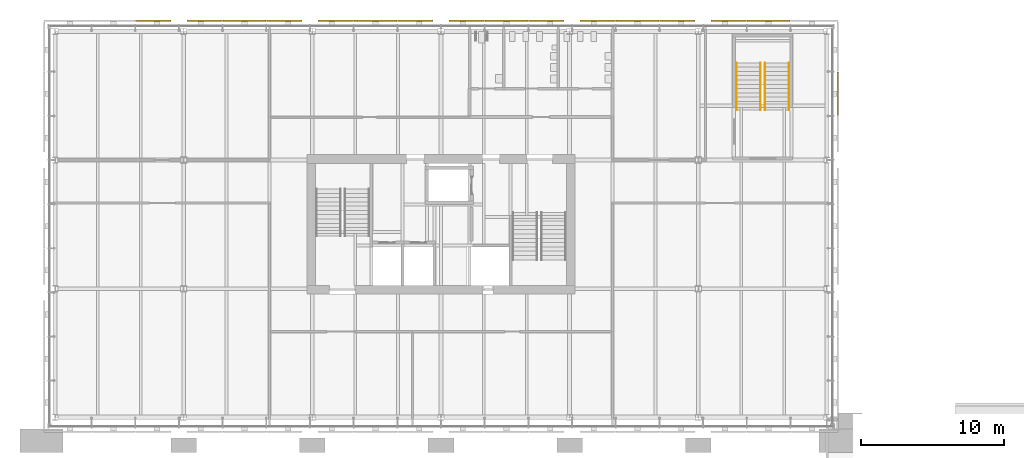
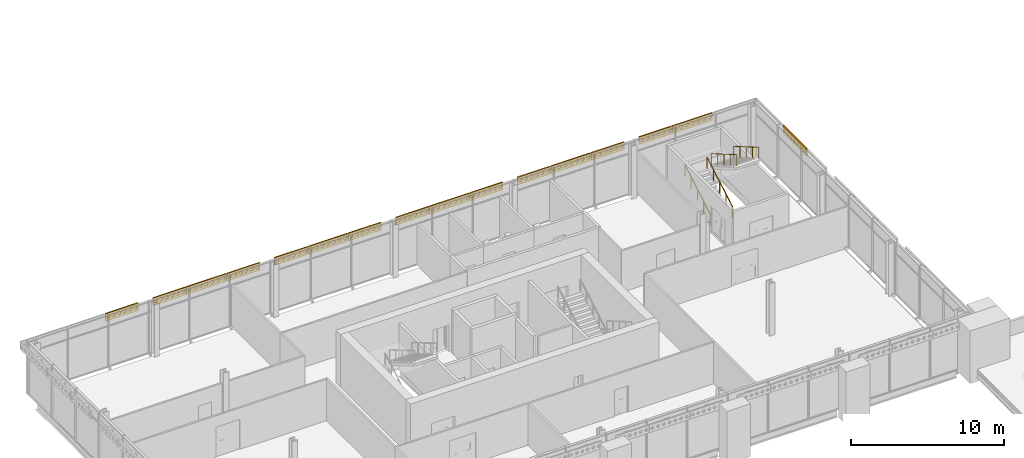
# One storey, part 112 of 123: 16 shading devices, 4 railings.
"""IFC4 building model written with IfcOpenShell, lengths in metres."""

from ifc_helpers import new_model, si_unit, direction, frame, origin, origin_2d, place, context, subcontext, project, spatial, polyline, circle, outline, extrude, material, layer, layer_set, type_object, element, save


model = new_model("IFC4")

# Units and contexts
model_context = context("Model", 3, precision=1e-05, world=origin(), true_north=direction((0.0, 1.0)))
body_context = subcontext(model_context, "Body", "Model", "MODEL_VIEW")
ifc_project = project(units=[si_unit("LENGTHUNIT", "METRE"), si_unit("AREAUNIT", "SQUARE_METRE"), si_unit("VOLUMEUNIT", "CUBIC_METRE"), si_unit("PLANEANGLEUNIT", "RADIAN"), si_unit("MASSUNIT", "GRAM", prefix="KILO")], contexts=[model_context])

# Site, building, storey
site_placement = place(None, origin())
site = spatial("IfcSite", under=ifc_project, at=site_placement, CompositionType="ELEMENT")
building_placement = place(site_placement, origin())
building = spatial("IfcBuilding", under=site, at=building_placement, Name="Baradari Gate Terminus", CompositionType="ELEMENT")
storey_placement = place(building_placement, frame((0.0, 0.0, 7.5)))
storey = spatial("IfcBuildingStorey", under=building, at=storey_placement, Name="L01", CompositionType="ELEMENT", Elevation=7.5)

# Railings
ifc_material_1 = material(Name="Stainless steel 1.4301", Category="steel")
railing_type = type_object("IfcRailingType", Name="Handrail HR-1 900", PredefinedType="HANDRAIL", material=ifc_material_1)
for number, where, name in (
    (1, (56.659912109375, 138.5, 0.175048828125), "Handrail ST-T3 L01 flight 1"),
    (2, (58.340087890625, 138.5, 0.175048828125), "Handrail ST-T3 L01 flight 1"),
):
    element("IfcRailing", number, at=place(storey_placement, frame(where)), inside=storey, type_object=railing_type, Name=name, PredefinedType="HANDRAIL", context=body_context, shape_type="SweptSolid", body=[
        extrude(circle(Radius=0.02392578125, at=origin_2d()), frame((0.0, 0.0, 0.8759765625), z_axis=(0.0, 0.863776583165, 0.503874998761), x_axis=(-1.0, 0.0, 0.0)), (0.0, 0.0, 1.0), 3.820556640625),
        extrude(circle(Radius=0.02099609375, at=origin_2d()), origin(), (0.0, 0.0, 1.0), 0.851806640625),
        extrude(circle(Radius=0.02099609375, at=origin_2d()), frame((0.0, 0.824951171875, 0.481201171875)), (0.0, 0.0, 1.0), 0.851806640625),
        extrude(circle(Radius=0.02099609375, at=origin_2d()), frame((0.0, 1.64990234375, 0.96240234375)), (0.0, 0.0, 1.0), 0.851806640625),
        extrude(circle(Radius=0.02099609375, at=origin_2d()), frame((0.0, 2.47509765625, 1.44384765625)), (0.0, 0.0, 1.0), 0.851806640625),
        extrude(circle(Radius=0.02099609375, at=origin_2d()), frame((0.0, 3.300048828125, 1.925048828125)), (0.0, 0.0, 1.0), 0.851806640625),
    ])
for number, where, name in (
    (3, (58.659912109375, 141.800048828125, 2.27490234375), "Handrail ST-T3 L01 flight 2"),
    (4, (60.340087890625, 141.800048828125, 2.27490234375), "Handrail ST-T3 L01 flight 2"),
):
    element("IfcRailing", number, at=place(storey_placement, frame(where)), inside=storey, type_object=railing_type, Name=name, PredefinedType="HANDRAIL", context=body_context, shape_type="SweptSolid", body=[
        extrude(circle(Radius=0.02392578125, at=origin_2d()), frame((0.0, 0.0, 0.8759765625), z_axis=(0.0, -0.863776583165, 0.503874998761), x_axis=(1.0, 0.0, 0.0)), (0.0, 0.0, 1.0), 3.820556640625),
        extrude(circle(Radius=0.02099609375, at=origin_2d()), origin(), (0.0, 0.0, 1.0), 0.851806640625),
        extrude(circle(Radius=0.02099609375, at=origin_2d()), frame((0.0, -0.824951171875, 0.481201171875)), (0.0, 0.0, 1.0), 0.851806640625),
        extrude(circle(Radius=0.02099609375, at=origin_2d()), frame((0.0, -1.64990234375, 0.96240234375)), (0.0, 0.0, 1.0), 0.851806640625),
        extrude(circle(Radius=0.02099609375, at=origin_2d()), frame((0.0, -2.47509765625, 1.44384765625)), (0.0, 0.0, 1.0), 0.851806640625),
        extrude(circle(Radius=0.02099609375, at=origin_2d()), frame((0.0, -3.300048828125, 1.925048828125)), (0.0, 0.0, 1.0), 0.851806640625),
    ])

# Shading devices
ifc_material_2 = material(Name="Concrete C50/60 precast", Category="concrete")
ifc_layer = layer(ifc_material_2, 0.10009765625)
ifc_layer_set = layer_set([ifc_layer], Name="Concrete C50/60 precast")
shading_device_type = type_object("IfcShadingDeviceType", Name="Jali screen panel JS-1 100", PredefinedType="SHUTTER", material=ifc_layer_set)
for number, where, z_axis, x_axis, name in (
    (5, (14.635009765625, 144.7451171875, 3.4326171875), (0.0, 0.0, 1.0), (1.0, 0.0, 0.0), "Jali screen panel JS-1 L01/TN bay 3"),
    (6, (18.219970703125, 144.7451171875, 3.4326171875), (0.0, 0.0, 1.0), (1.0, 0.0, 0.0), "Jali screen panel JS-1 L01/TN bay 4"),
):
    element("IfcShadingDevice", number, at=place(storey_placement, frame(where, z_axis=z_axis, x_axis=x_axis)), inside=storey, type_object=shading_device_type, Name=name, PredefinedType="SHUTTER", context=body_context, shape_type="SweptSolid", body=[
        extrude(outline(polyline([(0.0, 0.0), (2.485107421875, 0.0), (2.485107421875, 0.599853515625), (0.0, 0.599853515625), (0.0, 0.0)]), holes=[polyline([(0.337158203125, 0.2998046875), (0.27197265625, 0.187255859375), (0.14208984375, 0.187255859375), (0.0771484375, 0.2998046875), (0.14208984375, 0.412353515625), (0.27197265625, 0.412353515625), (0.337158203125, 0.2998046875)]), polyline([(0.751220703125, 0.2998046875), (0.686279296875, 0.187255859375), (0.55615234375, 0.187255859375), (0.4912109375, 0.2998046875), (0.55615234375, 0.412353515625), (0.686279296875, 0.412353515625), (0.751220703125, 0.2998046875)]), polyline([(1.16552734375, 0.2998046875), (1.100341796875, 0.187255859375), (0.970458984375, 0.187255859375), (0.905517578125, 0.2998046875), (0.970458984375, 0.412353515625), (1.100341796875, 0.412353515625), (1.16552734375, 0.2998046875)]), polyline([(1.57958984375, 0.2998046875), (1.5146484375, 0.187255859375), (1.384521484375, 0.187255859375), (1.319580078125, 0.2998046875), (1.384521484375, 0.412353515625), (1.5146484375, 0.412353515625), (1.57958984375, 0.2998046875)]), polyline([(1.99365234375, 0.2998046875), (1.9287109375, 0.187255859375), (1.798828125, 0.187255859375), (1.733642578125, 0.2998046875), (1.798828125, 0.412353515625), (1.9287109375, 0.412353515625), (1.99365234375, 0.2998046875)]), polyline([(2.407958984375, 0.2998046875), (2.343017578125, 0.187255859375), (2.212890625, 0.187255859375), (2.14794921875, 0.2998046875), (2.212890625, 0.412353515625), (2.343017578125, 0.412353515625), (2.407958984375, 0.2998046875)])]), frame((0.0, 0.050048828125, 0.0), z_axis=(0.0, -1.0, 0.0), x_axis=(1.0, 0.0, 0.0)), (0.0, 0.0, 1.0), 0.10009765625),
    ])
shading_device_1_placement = place(storey_placement, frame((20.7451171875, 144.7451171875, 3.4326171875), z_axis=(0.0, 0.0, 1.0), x_axis=(1.0, 0.0, 0.0)))
element("IfcShadingDevice", 7, at=shading_device_1_placement, inside=storey, type_object=shading_device_type, Name="Jali screen panel JS-1 L01/TN bay 5", PredefinedType="SHUTTER", context=body_context, shape_type="SweptSolid", body=[
    extrude(outline(polyline([(0.0, 0.0), (3.014892578125, 0.0), (3.014892578125, 0.599853515625), (0.0, 0.599853515625), (0.0, 0.0)]), holes=[polyline([(0.345458984375, 0.2998046875), (0.2802734375, 0.187255859375), (0.150390625, 0.187255859375), (0.08544921875, 0.2998046875), (0.150390625, 0.412353515625), (0.2802734375, 0.412353515625), (0.345458984375, 0.2998046875)]), polyline([(0.776123046875, 0.2998046875), (0.711181640625, 0.187255859375), (0.5810546875, 0.187255859375), (0.51611328125, 0.2998046875), (0.5810546875, 0.412353515625), (0.711181640625, 0.412353515625), (0.776123046875, 0.2998046875)]), polyline([(1.206787109375, 0.2998046875), (1.141845703125, 0.187255859375), (1.01171875, 0.187255859375), (0.94677734375, 0.2998046875), (1.01171875, 0.412353515625), (1.141845703125, 0.412353515625), (1.206787109375, 0.2998046875)]), polyline([(1.637451171875, 0.2998046875), (1.572509765625, 0.187255859375), (1.4423828125, 0.187255859375), (1.37744140625, 0.2998046875), (1.4423828125, 0.412353515625), (1.572509765625, 0.412353515625), (1.637451171875, 0.2998046875)]), polyline([(2.068115234375, 0.2998046875), (2.003173828125, 0.187255859375), (1.873291015625, 0.187255859375), (1.80810546875, 0.2998046875), (1.873291015625, 0.412353515625), (2.003173828125, 0.412353515625), (2.068115234375, 0.2998046875)]), polyline([(2.4990234375, 0.2998046875), (2.433837890625, 0.187255859375), (2.303955078125, 0.187255859375), (2.239013671875, 0.2998046875), (2.303955078125, 0.412353515625), (2.433837890625, 0.412353515625), (2.4990234375, 0.2998046875)]), polyline([(2.9296875, 0.2998046875), (2.86474609375, 0.187255859375), (2.734619140625, 0.187255859375), (2.669677734375, 0.2998046875), (2.734619140625, 0.412353515625), (2.86474609375, 0.412353515625), (2.9296875, 0.2998046875)])]), frame((0.0, 0.050048828125, 0.0), z_axis=(0.0, -1.0, 0.0), x_axis=(1.0, 0.0, 0.0)), (0.0, 0.0, 1.0), 0.10009765625),
])
shading_device_2_placement = place(storey_placement, frame((23.800048828125, 144.7451171875, 3.4326171875), z_axis=(0.0, 0.0, 1.0), x_axis=(1.0, 0.0, 0.0)))
element("IfcShadingDevice", 8, at=shading_device_2_placement, inside=storey, type_object=shading_device_type, Name="Jali screen panel JS-1 L01/TN bay 6", PredefinedType="SHUTTER", context=body_context, shape_type="SweptSolid", body=[
    extrude(outline(polyline([(0.0, 0.0), (2.48486328125, 0.0), (2.48486328125, 0.599853515625), (0.0, 0.599853515625), (0.0, 0.0)]), holes=[polyline([(0.337158203125, 0.2998046875), (0.27197265625, 0.187255859375), (0.14208984375, 0.187255859375), (0.0771484375, 0.2998046875), (0.14208984375, 0.412353515625), (0.27197265625, 0.412353515625), (0.337158203125, 0.2998046875)]), polyline([(0.751220703125, 0.2998046875), (0.686279296875, 0.187255859375), (0.55615234375, 0.187255859375), (0.4912109375, 0.2998046875), (0.55615234375, 0.412353515625), (0.686279296875, 0.412353515625), (0.751220703125, 0.2998046875)]), polyline([(1.16552734375, 0.2998046875), (1.100341796875, 0.187255859375), (0.970458984375, 0.187255859375), (0.905517578125, 0.2998046875), (0.970458984375, 0.412353515625), (1.100341796875, 0.412353515625), (1.16552734375, 0.2998046875)]), polyline([(1.57958984375, 0.2998046875), (1.5146484375, 0.187255859375), (1.384521484375, 0.187255859375), (1.319580078125, 0.2998046875), (1.384521484375, 0.412353515625), (1.5146484375, 0.412353515625), (1.57958984375, 0.2998046875)]), polyline([(1.99365234375, 0.2998046875), (1.9287109375, 0.187255859375), (1.798828125, 0.187255859375), (1.733642578125, 0.2998046875), (1.798828125, 0.412353515625), (1.9287109375, 0.412353515625), (1.99365234375, 0.2998046875)]), polyline([(2.407958984375, 0.2998046875), (2.343017578125, 0.187255859375), (2.212890625, 0.187255859375), (2.14794921875, 0.2998046875), (2.212890625, 0.412353515625), (2.343017578125, 0.412353515625), (2.407958984375, 0.2998046875)])]), frame((0.0, 0.050048828125, 0.0), z_axis=(0.0, -1.0, 0.0), x_axis=(1.0, 0.0, 0.0)), (0.0, 0.0, 1.0), 0.10009765625),
])
shading_device_3_placement = place(storey_placement, frame((27.385009765625, 144.7451171875, 3.4326171875), z_axis=(0.0, 0.0, 1.0), x_axis=(1.0, 0.0, 0.0)))
element("IfcShadingDevice", 9, at=shading_device_3_placement, inside=storey, type_object=shading_device_type, Name="Jali screen panel JS-1 L01/TN bay 7", PredefinedType="SHUTTER", context=body_context, shape_type="SweptSolid", body=[
    extrude(outline(polyline([(0.0, 0.0), (2.485107421875, 0.0), (2.485107421875, 0.599853515625), (0.0, 0.599853515625), (0.0, 0.0)]), holes=[polyline([(0.337158203125, 0.2998046875), (0.27197265625, 0.187255859375), (0.14208984375, 0.187255859375), (0.0771484375, 0.2998046875), (0.14208984375, 0.412353515625), (0.27197265625, 0.412353515625), (0.337158203125, 0.2998046875)]), polyline([(0.751220703125, 0.2998046875), (0.686279296875, 0.187255859375), (0.55615234375, 0.187255859375), (0.4912109375, 0.2998046875), (0.55615234375, 0.412353515625), (0.686279296875, 0.412353515625), (0.751220703125, 0.2998046875)]), polyline([(1.16552734375, 0.2998046875), (1.100341796875, 0.187255859375), (0.970458984375, 0.187255859375), (0.905517578125, 0.2998046875), (0.970458984375, 0.412353515625), (1.100341796875, 0.412353515625), (1.16552734375, 0.2998046875)]), polyline([(1.57958984375, 0.2998046875), (1.5146484375, 0.187255859375), (1.384521484375, 0.187255859375), (1.319580078125, 0.2998046875), (1.384521484375, 0.412353515625), (1.5146484375, 0.412353515625), (1.57958984375, 0.2998046875)]), polyline([(1.99365234375, 0.2998046875), (1.9287109375, 0.187255859375), (1.798828125, 0.187255859375), (1.733642578125, 0.2998046875), (1.798828125, 0.412353515625), (1.9287109375, 0.412353515625), (1.99365234375, 0.2998046875)]), polyline([(2.407958984375, 0.2998046875), (2.343017578125, 0.187255859375), (2.212890625, 0.187255859375), (2.14794921875, 0.2998046875), (2.212890625, 0.412353515625), (2.343017578125, 0.412353515625), (2.407958984375, 0.2998046875)])]), frame((0.0, 0.050048828125, 0.0), z_axis=(0.0, -1.0, 0.0), x_axis=(1.0, 0.0, 0.0)), (0.0, 0.0, 1.0), 0.10009765625),
])
shading_device_4_placement = place(storey_placement, frame((29.909912109375, 144.7451171875, 3.4326171875), z_axis=(0.0, 0.0, 1.0), x_axis=(1.0, 0.0, 0.0)))
element("IfcShadingDevice", 10, at=shading_device_4_placement, inside=storey, type_object=shading_device_type, Name="Jali screen panel JS-1 L01/TN bay 8", PredefinedType="SHUTTER", context=body_context, shape_type="SweptSolid", body=[
    extrude(outline(polyline([(0.0, 0.0), (3.01513671875, 0.0), (3.01513671875, 0.599853515625), (0.0, 0.599853515625), (0.0, 0.0)]), holes=[polyline([(0.345458984375, 0.2998046875), (0.2802734375, 0.187255859375), (0.150390625, 0.187255859375), (0.08544921875, 0.2998046875), (0.150390625, 0.412353515625), (0.2802734375, 0.412353515625), (0.345458984375, 0.2998046875)]), polyline([(0.776123046875, 0.2998046875), (0.711181640625, 0.187255859375), (0.5810546875, 0.187255859375), (0.51611328125, 0.2998046875), (0.5810546875, 0.412353515625), (0.711181640625, 0.412353515625), (0.776123046875, 0.2998046875)]), polyline([(1.206787109375, 0.2998046875), (1.141845703125, 0.187255859375), (1.01171875, 0.187255859375), (0.94677734375, 0.2998046875), (1.01171875, 0.412353515625), (1.141845703125, 0.412353515625), (1.206787109375, 0.2998046875)]), polyline([(1.637451171875, 0.2998046875), (1.572509765625, 0.187255859375), (1.4423828125, 0.187255859375), (1.37744140625, 0.2998046875), (1.4423828125, 0.412353515625), (1.572509765625, 0.412353515625), (1.637451171875, 0.2998046875)]), polyline([(2.068115234375, 0.2998046875), (2.003173828125, 0.187255859375), (1.873291015625, 0.187255859375), (1.80810546875, 0.2998046875), (1.873291015625, 0.412353515625), (2.003173828125, 0.412353515625), (2.068115234375, 0.2998046875)]), polyline([(2.4990234375, 0.2998046875), (2.433837890625, 0.187255859375), (2.303955078125, 0.187255859375), (2.239013671875, 0.2998046875), (2.303955078125, 0.412353515625), (2.433837890625, 0.412353515625), (2.4990234375, 0.2998046875)]), polyline([(2.9296875, 0.2998046875), (2.86474609375, 0.187255859375), (2.734619140625, 0.187255859375), (2.669677734375, 0.2998046875), (2.734619140625, 0.412353515625), (2.86474609375, 0.412353515625), (2.9296875, 0.2998046875)])]), frame((0.0, 0.050048828125, 0.0), z_axis=(0.0, -1.0, 0.0), x_axis=(1.0, 0.0, 0.0)), (0.0, 0.0, 1.0), 0.10009765625),
])
for number, where, z_axis, x_axis, name in (
    (11, (32.965087890625, 144.7451171875, 3.4326171875), (0.0, 0.0, 1.0), (1.0, 0.0, 0.0), "Jali screen panel JS-1 L01/TN bay 9"),
    (12, (36.550048828125, 144.7451171875, 3.4326171875), (0.0, 0.0, 1.0), (1.0, 0.0, 0.0), "Jali screen panel JS-1 L01/TN bay 10"),
):
    element("IfcShadingDevice", number, at=place(storey_placement, frame(where, z_axis=z_axis, x_axis=x_axis)), inside=storey, type_object=shading_device_type, Name=name, PredefinedType="SHUTTER", context=body_context, shape_type="SweptSolid", body=[
        extrude(outline(polyline([(0.0, 0.0), (2.48486328125, 0.0), (2.48486328125, 0.599853515625), (0.0, 0.599853515625), (0.0, 0.0)]), holes=[polyline([(0.337158203125, 0.2998046875), (0.27197265625, 0.187255859375), (0.14208984375, 0.187255859375), (0.0771484375, 0.2998046875), (0.14208984375, 0.412353515625), (0.27197265625, 0.412353515625), (0.337158203125, 0.2998046875)]), polyline([(0.751220703125, 0.2998046875), (0.686279296875, 0.187255859375), (0.55615234375, 0.187255859375), (0.4912109375, 0.2998046875), (0.55615234375, 0.412353515625), (0.686279296875, 0.412353515625), (0.751220703125, 0.2998046875)]), polyline([(1.16552734375, 0.2998046875), (1.100341796875, 0.187255859375), (0.970458984375, 0.187255859375), (0.905517578125, 0.2998046875), (0.970458984375, 0.412353515625), (1.100341796875, 0.412353515625), (1.16552734375, 0.2998046875)]), polyline([(1.57958984375, 0.2998046875), (1.5146484375, 0.187255859375), (1.384521484375, 0.187255859375), (1.319580078125, 0.2998046875), (1.384521484375, 0.412353515625), (1.5146484375, 0.412353515625), (1.57958984375, 0.2998046875)]), polyline([(1.99365234375, 0.2998046875), (1.9287109375, 0.187255859375), (1.798828125, 0.187255859375), (1.733642578125, 0.2998046875), (1.798828125, 0.412353515625), (1.9287109375, 0.412353515625), (1.99365234375, 0.2998046875)]), polyline([(2.407958984375, 0.2998046875), (2.343017578125, 0.187255859375), (2.212890625, 0.187255859375), (2.14794921875, 0.2998046875), (2.212890625, 0.412353515625), (2.343017578125, 0.412353515625), (2.407958984375, 0.2998046875)])]), frame((0.0, 0.050048828125, 0.0), z_axis=(0.0, -1.0, 0.0), x_axis=(1.0, 0.0, 0.0)), (0.0, 0.0, 1.0), 0.10009765625),
    ])
shading_device_5_placement = place(storey_placement, frame((39.074951171875, 144.7451171875, 3.4326171875), z_axis=(0.0, 0.0, 1.0), x_axis=(1.0, 0.0, 0.0)))
element("IfcShadingDevice", 13, at=shading_device_5_placement, inside=storey, type_object=shading_device_type, Name="Jali screen panel JS-1 L01/TN bay 11", PredefinedType="SHUTTER", context=body_context, shape_type="SweptSolid", body=[
    extrude(outline(polyline([(0.0, 0.0), (3.01513671875, 0.0), (3.01513671875, 0.599853515625), (0.0, 0.599853515625), (0.0, 0.0)]), holes=[polyline([(0.345458984375, 0.2998046875), (0.2802734375, 0.187255859375), (0.150390625, 0.187255859375), (0.08544921875, 0.2998046875), (0.150390625, 0.412353515625), (0.2802734375, 0.412353515625), (0.345458984375, 0.2998046875)]), polyline([(0.776123046875, 0.2998046875), (0.711181640625, 0.187255859375), (0.5810546875, 0.187255859375), (0.51611328125, 0.2998046875), (0.5810546875, 0.412353515625), (0.711181640625, 0.412353515625), (0.776123046875, 0.2998046875)]), polyline([(1.206787109375, 0.2998046875), (1.141845703125, 0.187255859375), (1.01171875, 0.187255859375), (0.94677734375, 0.2998046875), (1.01171875, 0.412353515625), (1.141845703125, 0.412353515625), (1.206787109375, 0.2998046875)]), polyline([(1.637451171875, 0.2998046875), (1.572509765625, 0.187255859375), (1.4423828125, 0.187255859375), (1.37744140625, 0.2998046875), (1.4423828125, 0.412353515625), (1.572509765625, 0.412353515625), (1.637451171875, 0.2998046875)]), polyline([(2.068115234375, 0.2998046875), (2.003173828125, 0.187255859375), (1.873291015625, 0.187255859375), (1.80810546875, 0.2998046875), (1.873291015625, 0.412353515625), (2.003173828125, 0.412353515625), (2.068115234375, 0.2998046875)]), polyline([(2.4990234375, 0.2998046875), (2.433837890625, 0.187255859375), (2.303955078125, 0.187255859375), (2.239013671875, 0.2998046875), (2.303955078125, 0.412353515625), (2.433837890625, 0.412353515625), (2.4990234375, 0.2998046875)]), polyline([(2.9296875, 0.2998046875), (2.86474609375, 0.187255859375), (2.734619140625, 0.187255859375), (2.669677734375, 0.2998046875), (2.734619140625, 0.412353515625), (2.86474609375, 0.412353515625), (2.9296875, 0.2998046875)])]), frame((0.0, 0.050048828125, 0.0), z_axis=(0.0, -1.0, 0.0), x_axis=(1.0, 0.0, 0.0)), (0.0, 0.0, 1.0), 0.10009765625),
])
shading_device_6_placement = place(storey_placement, frame((42.1298828125, 144.7451171875, 3.4326171875), z_axis=(0.0, 0.0, 1.0), x_axis=(1.0, 0.0, 0.0)))
element("IfcShadingDevice", 14, at=shading_device_6_placement, inside=storey, type_object=shading_device_type, Name="Jali screen panel JS-1 L01/TN bay 12", PredefinedType="SHUTTER", context=body_context, shape_type="SweptSolid", body=[
    extrude(outline(polyline([(0.0, 0.0), (2.485107421875, 0.0), (2.485107421875, 0.599853515625), (0.0, 0.599853515625), (0.0, 0.0)]), holes=[polyline([(0.337158203125, 0.2998046875), (0.27197265625, 0.187255859375), (0.14208984375, 0.187255859375), (0.0771484375, 0.2998046875), (0.14208984375, 0.412353515625), (0.27197265625, 0.412353515625), (0.337158203125, 0.2998046875)]), polyline([(0.751220703125, 0.2998046875), (0.686279296875, 0.187255859375), (0.55615234375, 0.187255859375), (0.4912109375, 0.2998046875), (0.55615234375, 0.412353515625), (0.686279296875, 0.412353515625), (0.751220703125, 0.2998046875)]), polyline([(1.16552734375, 0.2998046875), (1.100341796875, 0.187255859375), (0.970458984375, 0.187255859375), (0.905517578125, 0.2998046875), (0.970458984375, 0.412353515625), (1.100341796875, 0.412353515625), (1.16552734375, 0.2998046875)]), polyline([(1.57958984375, 0.2998046875), (1.5146484375, 0.187255859375), (1.384521484375, 0.187255859375), (1.319580078125, 0.2998046875), (1.384521484375, 0.412353515625), (1.5146484375, 0.412353515625), (1.57958984375, 0.2998046875)]), polyline([(1.99365234375, 0.2998046875), (1.9287109375, 0.187255859375), (1.798828125, 0.187255859375), (1.733642578125, 0.2998046875), (1.798828125, 0.412353515625), (1.9287109375, 0.412353515625), (1.99365234375, 0.2998046875)]), polyline([(2.407958984375, 0.2998046875), (2.343017578125, 0.187255859375), (2.212890625, 0.187255859375), (2.14794921875, 0.2998046875), (2.212890625, 0.412353515625), (2.343017578125, 0.412353515625), (2.407958984375, 0.2998046875)])]), frame((0.0, 0.050048828125, 0.0), z_axis=(0.0, -1.0, 0.0), x_axis=(1.0, 0.0, 0.0)), (0.0, 0.0, 1.0), 0.10009765625),
])
shading_device_7_placement = place(storey_placement, frame((45.715087890625, 144.7451171875, 3.4326171875), z_axis=(0.0, 0.0, 1.0), x_axis=(1.0, 0.0, 0.0)))
element("IfcShadingDevice", 15, at=shading_device_7_placement, inside=storey, type_object=shading_device_type, Name="Jali screen panel JS-1 L01/TN bay 13", PredefinedType="SHUTTER", context=body_context, shape_type="SweptSolid", body=[
    extrude(outline(polyline([(0.0, 0.0), (2.48486328125, 0.0), (2.48486328125, 0.599853515625), (0.0, 0.599853515625), (0.0, 0.0)]), holes=[polyline([(0.337158203125, 0.2998046875), (0.27197265625, 0.187255859375), (0.14208984375, 0.187255859375), (0.0771484375, 0.2998046875), (0.14208984375, 0.412353515625), (0.27197265625, 0.412353515625), (0.337158203125, 0.2998046875)]), polyline([(0.751220703125, 0.2998046875), (0.686279296875, 0.187255859375), (0.55615234375, 0.187255859375), (0.4912109375, 0.2998046875), (0.55615234375, 0.412353515625), (0.686279296875, 0.412353515625), (0.751220703125, 0.2998046875)]), polyline([(1.16552734375, 0.2998046875), (1.100341796875, 0.187255859375), (0.970458984375, 0.187255859375), (0.905517578125, 0.2998046875), (0.970458984375, 0.412353515625), (1.100341796875, 0.412353515625), (1.16552734375, 0.2998046875)]), polyline([(1.57958984375, 0.2998046875), (1.5146484375, 0.187255859375), (1.384521484375, 0.187255859375), (1.319580078125, 0.2998046875), (1.384521484375, 0.412353515625), (1.5146484375, 0.412353515625), (1.57958984375, 0.2998046875)]), polyline([(1.99365234375, 0.2998046875), (1.9287109375, 0.187255859375), (1.798828125, 0.187255859375), (1.733642578125, 0.2998046875), (1.798828125, 0.412353515625), (1.9287109375, 0.412353515625), (1.99365234375, 0.2998046875)]), polyline([(2.407958984375, 0.2998046875), (2.343017578125, 0.187255859375), (2.212890625, 0.187255859375), (2.14794921875, 0.2998046875), (2.212890625, 0.412353515625), (2.343017578125, 0.412353515625), (2.407958984375, 0.2998046875)])]), frame((0.0, 0.050048828125, 0.0), z_axis=(0.0, -1.0, 0.0), x_axis=(1.0, 0.0, 0.0)), (0.0, 0.0, 1.0), 0.10009765625),
])
shading_device_8_placement = place(storey_placement, frame((48.239990234375, 144.7451171875, 3.4326171875), z_axis=(0.0, 0.0, 1.0), x_axis=(1.0, 0.0, 0.0)))
element("IfcShadingDevice", 16, at=shading_device_8_placement, inside=storey, type_object=shading_device_type, Name="Jali screen panel JS-1 L01/TN bay 14", PredefinedType="SHUTTER", context=body_context, shape_type="SweptSolid", body=[
    extrude(outline(polyline([(0.0, 0.0), (3.014892578125, 0.0), (3.014892578125, 0.599853515625), (0.0, 0.599853515625), (0.0, 0.0)]), holes=[polyline([(0.345458984375, 0.2998046875), (0.2802734375, 0.187255859375), (0.150390625, 0.187255859375), (0.08544921875, 0.2998046875), (0.150390625, 0.412353515625), (0.2802734375, 0.412353515625), (0.345458984375, 0.2998046875)]), polyline([(0.776123046875, 0.2998046875), (0.711181640625, 0.187255859375), (0.5810546875, 0.187255859375), (0.51611328125, 0.2998046875), (0.5810546875, 0.412353515625), (0.711181640625, 0.412353515625), (0.776123046875, 0.2998046875)]), polyline([(1.206787109375, 0.2998046875), (1.141845703125, 0.187255859375), (1.01171875, 0.187255859375), (0.94677734375, 0.2998046875), (1.01171875, 0.412353515625), (1.141845703125, 0.412353515625), (1.206787109375, 0.2998046875)]), polyline([(1.637451171875, 0.2998046875), (1.572509765625, 0.187255859375), (1.4423828125, 0.187255859375), (1.37744140625, 0.2998046875), (1.4423828125, 0.412353515625), (1.572509765625, 0.412353515625), (1.637451171875, 0.2998046875)]), polyline([(2.068115234375, 0.2998046875), (2.003173828125, 0.187255859375), (1.873291015625, 0.187255859375), (1.80810546875, 0.2998046875), (1.873291015625, 0.412353515625), (2.003173828125, 0.412353515625), (2.068115234375, 0.2998046875)]), polyline([(2.4990234375, 0.2998046875), (2.433837890625, 0.187255859375), (2.303955078125, 0.187255859375), (2.239013671875, 0.2998046875), (2.303955078125, 0.412353515625), (2.433837890625, 0.412353515625), (2.4990234375, 0.2998046875)]), polyline([(2.9296875, 0.2998046875), (2.86474609375, 0.187255859375), (2.734619140625, 0.187255859375), (2.669677734375, 0.2998046875), (2.734619140625, 0.412353515625), (2.86474609375, 0.412353515625), (2.9296875, 0.2998046875)])]), frame((0.0, 0.050048828125, 0.0), z_axis=(0.0, -1.0, 0.0), x_axis=(1.0, 0.0, 0.0)), (0.0, 0.0, 1.0), 0.10009765625),
])
for number, where, z_axis, x_axis, name in (
    (17, (51.294921875, 144.7451171875, 3.4326171875), (0.0, 0.0, 1.0), (1.0, 0.0, 0.0), "Jali screen panel JS-1 L01/TN bay 15"),
    (18, (54.8798828125, 144.7451171875, 3.4326171875), (0.0, 0.0, 1.0), (1.0, 0.0, 0.0), "Jali screen panel JS-1 L01/TN bay 16"),
):
    element("IfcShadingDevice", number, at=place(storey_placement, frame(where, z_axis=z_axis, x_axis=x_axis)), inside=storey, type_object=shading_device_type, Name=name, PredefinedType="SHUTTER", context=body_context, shape_type="SweptSolid", body=[
        extrude(outline(polyline([(0.0, 0.0), (2.485107421875, 0.0), (2.485107421875, 0.599853515625), (0.0, 0.599853515625), (0.0, 0.0)]), holes=[polyline([(0.337158203125, 0.2998046875), (0.27197265625, 0.187255859375), (0.14208984375, 0.187255859375), (0.0771484375, 0.2998046875), (0.14208984375, 0.412353515625), (0.27197265625, 0.412353515625), (0.337158203125, 0.2998046875)]), polyline([(0.751220703125, 0.2998046875), (0.686279296875, 0.187255859375), (0.55615234375, 0.187255859375), (0.4912109375, 0.2998046875), (0.55615234375, 0.412353515625), (0.686279296875, 0.412353515625), (0.751220703125, 0.2998046875)]), polyline([(1.16552734375, 0.2998046875), (1.100341796875, 0.187255859375), (0.970458984375, 0.187255859375), (0.905517578125, 0.2998046875), (0.970458984375, 0.412353515625), (1.100341796875, 0.412353515625), (1.16552734375, 0.2998046875)]), polyline([(1.57958984375, 0.2998046875), (1.5146484375, 0.187255859375), (1.384521484375, 0.187255859375), (1.319580078125, 0.2998046875), (1.384521484375, 0.412353515625), (1.5146484375, 0.412353515625), (1.57958984375, 0.2998046875)]), polyline([(1.99365234375, 0.2998046875), (1.9287109375, 0.187255859375), (1.798828125, 0.187255859375), (1.733642578125, 0.2998046875), (1.798828125, 0.412353515625), (1.9287109375, 0.412353515625), (1.99365234375, 0.2998046875)]), polyline([(2.407958984375, 0.2998046875), (2.343017578125, 0.187255859375), (2.212890625, 0.187255859375), (2.14794921875, 0.2998046875), (2.212890625, 0.412353515625), (2.343017578125, 0.412353515625), (2.407958984375, 0.2998046875)])]), frame((0.0, 0.050048828125, 0.0), z_axis=(0.0, -1.0, 0.0), x_axis=(1.0, 0.0, 0.0)), (0.0, 0.0, 1.0), 0.10009765625),
    ])
shading_device_9_placement = place(storey_placement, frame((57.405029296875, 144.7451171875, 3.4326171875), z_axis=(0.0, 0.0, 1.0), x_axis=(1.0, 0.0, 0.0)))
element("IfcShadingDevice", 19, at=shading_device_9_placement, inside=storey, type_object=shading_device_type, Name="Jali screen panel JS-1 L01/TN bay 17", PredefinedType="SHUTTER", context=body_context, shape_type="SweptSolid", body=[
    extrude(outline(polyline([(0.0, 0.0), (3.014892578125, 0.0), (3.014892578125, 0.599853515625), (0.0, 0.599853515625), (0.0, 0.0)]), holes=[polyline([(0.345458984375, 0.2998046875), (0.2802734375, 0.187255859375), (0.150390625, 0.187255859375), (0.08544921875, 0.2998046875), (0.150390625, 0.412353515625), (0.2802734375, 0.412353515625), (0.345458984375, 0.2998046875)]), polyline([(0.776123046875, 0.2998046875), (0.711181640625, 0.187255859375), (0.5810546875, 0.187255859375), (0.51611328125, 0.2998046875), (0.5810546875, 0.412353515625), (0.711181640625, 0.412353515625), (0.776123046875, 0.2998046875)]), polyline([(1.206787109375, 0.2998046875), (1.141845703125, 0.187255859375), (1.01171875, 0.187255859375), (0.94677734375, 0.2998046875), (1.01171875, 0.412353515625), (1.141845703125, 0.412353515625), (1.206787109375, 0.2998046875)]), polyline([(1.637451171875, 0.2998046875), (1.572509765625, 0.187255859375), (1.4423828125, 0.187255859375), (1.37744140625, 0.2998046875), (1.4423828125, 0.412353515625), (1.572509765625, 0.412353515625), (1.637451171875, 0.2998046875)]), polyline([(2.068115234375, 0.2998046875), (2.003173828125, 0.187255859375), (1.873291015625, 0.187255859375), (1.80810546875, 0.2998046875), (1.873291015625, 0.412353515625), (2.003173828125, 0.412353515625), (2.068115234375, 0.2998046875)]), polyline([(2.4990234375, 0.2998046875), (2.433837890625, 0.187255859375), (2.303955078125, 0.187255859375), (2.239013671875, 0.2998046875), (2.303955078125, 0.412353515625), (2.433837890625, 0.412353515625), (2.4990234375, 0.2998046875)]), polyline([(2.9296875, 0.2998046875), (2.86474609375, 0.187255859375), (2.734619140625, 0.187255859375), (2.669677734375, 0.2998046875), (2.734619140625, 0.412353515625), (2.86474609375, 0.412353515625), (2.9296875, 0.2998046875)])]), frame((0.0, 0.050048828125, 0.0), z_axis=(0.0, -1.0, 0.0), x_axis=(1.0, 0.0, 0.0)), (0.0, 0.0, 1.0), 0.10009765625),
])
shading_device_10_placement = place(storey_placement, frame((63.7451171875, 138.114501953125, 3.4326171875), z_axis=(0.0, 0.0, 1.0), x_axis=(0.0, 1.0, 0.0)))
element("IfcShadingDevice", 20, at=shading_device_10_placement, inside=storey, type_object=shading_device_type, Name="Jali screen panel JS-1 L01/TE bay 8", PredefinedType="SHUTTER", context=body_context, shape_type="SweptSolid", body=[
    extrude(outline(polyline([(0.0, 0.0), (3.047607421875, 0.0), (3.047607421875, 0.599853515625), (0.0, 0.599853515625), (0.0, 0.0)]), holes=[polyline([(0.34765625, 0.2998046875), (0.28271484375, 0.187255859375), (0.152587890625, 0.187255859375), (0.087646484375, 0.2998046875), (0.152587890625, 0.412353515625), (0.28271484375, 0.412353515625), (0.34765625, 0.2998046875)]), polyline([(0.783203125, 0.2998046875), (0.718017578125, 0.187255859375), (0.588134765625, 0.187255859375), (0.523193359375, 0.2998046875), (0.588134765625, 0.412353515625), (0.718017578125, 0.412353515625), (0.783203125, 0.2998046875)]), polyline([(1.218505859375, 0.2998046875), (1.153564453125, 0.187255859375), (1.0234375, 0.187255859375), (0.95849609375, 0.2998046875), (1.0234375, 0.412353515625), (1.153564453125, 0.412353515625), (1.218505859375, 0.2998046875)]), polyline([(1.65380859375, 0.2998046875), (1.5888671875, 0.187255859375), (1.458984375, 0.187255859375), (1.393798828125, 0.2998046875), (1.458984375, 0.412353515625), (1.5888671875, 0.412353515625), (1.65380859375, 0.2998046875)]), polyline([(2.08935546875, 0.2998046875), (2.024169921875, 0.187255859375), (1.894287109375, 0.187255859375), (1.829345703125, 0.2998046875), (1.894287109375, 0.412353515625), (2.024169921875, 0.412353515625), (2.08935546875, 0.2998046875)]), polyline([(2.524658203125, 0.2998046875), (2.459716796875, 0.187255859375), (2.32958984375, 0.187255859375), (2.2646484375, 0.2998046875), (2.32958984375, 0.412353515625), (2.459716796875, 0.412353515625), (2.524658203125, 0.2998046875)]), polyline([(2.9599609375, 0.2998046875), (2.89501953125, 0.187255859375), (2.76513671875, 0.187255859375), (2.7001953125, 0.2998046875), (2.76513671875, 0.412353515625), (2.89501953125, 0.412353515625), (2.9599609375, 0.2998046875)])]), frame((0.0, 0.050048828125, 0.0), z_axis=(0.0, -1.0, 0.0), x_axis=(1.0, 0.0, 0.0)), (0.0, 0.0, 1.0), 0.10009765625),
])

save(model, "model.ifc")
